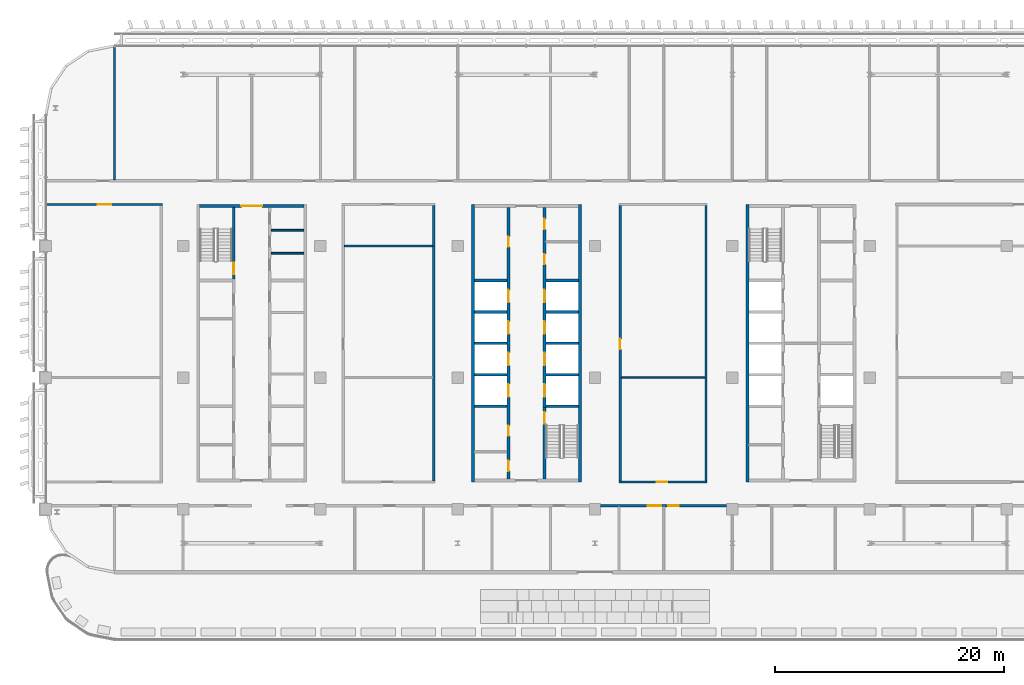
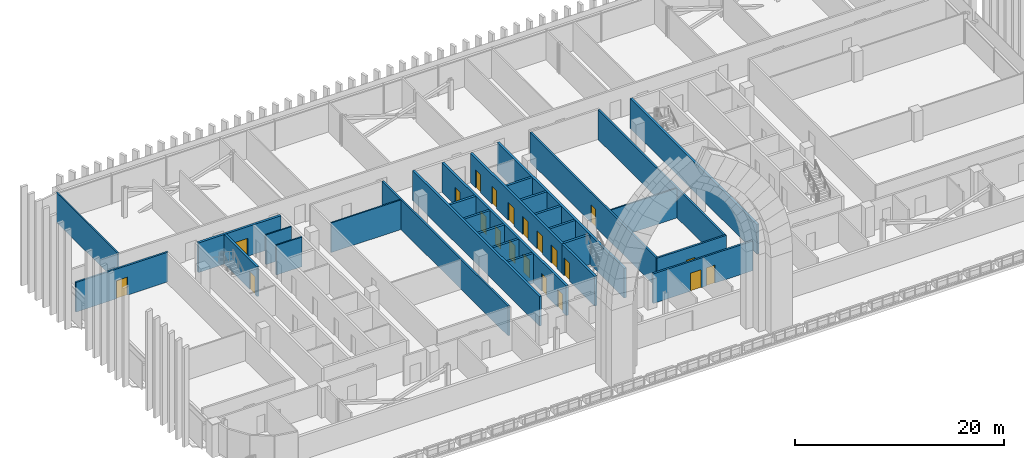
# One storey, part 12 of 30: 29 walls, 21 doors, 21 openings.
"""IFC4 building model written with IfcOpenShell, lengths in metres."""

import ifcopenshell
import ifcopenshell.guid

model = None  # the IFC model being written
_history = None  # IfcOwnerHistory: only IFC2X3 demands one
_inside = {}  # id of a spatial element -> (the spatial element, [elements in it])
_under = {}  # id of a project, library or spatial element -> (it, [spatial elements below it])
_declared = {}  # id of a project -> (the project, [libraries it declares])
_typed = {}  # id of a type object -> (the type object, [elements of that type])
_made_of = {}  # id of a material, layer set ... -> (it, [elements and type objects made of it])


def new_model(schema):
    """Start an empty IFC model of exactly this schema.

    Asked for "IFC4X3", IfcOpenShell would pick the latest addendum, in which some entities
    have other attributes; the version numbers below select the first issue.
    IFC2X3 requires an IfcOwnerHistory on every rooted entity: one is made here for all.
    """
    global model, _history
    if schema == "IFC4X3":
        model = ifcopenshell.file(schema_version=(4, 3, 0, 0))
    else:
        model = ifcopenshell.file(schema=schema)
    _inside.clear()
    _under.clear()
    _declared.clear()
    _typed.clear()
    _made_of.clear()
    _history = None
    if model.schema == "IFC2X3":
        org = make("IfcOrganization", Name="unknown")
        user = make(
            "IfcPersonAndOrganization",
            ThePerson=make("IfcPerson", FamilyName="unknown"),
            TheOrganization=org,
        )
        app = make(
            "IfcApplication",
            ApplicationDeveloper=org,
            Version="unknown",
            ApplicationFullName="unknown",
            ApplicationIdentifier="unknown",
        )
        _history = make(
            "IfcOwnerHistory",
            OwningUser=user,
            OwningApplication=app,
            ChangeAction="ADDED",
            CreationDate=0,
        )
    return model


def make(cls, **values):
    """One entity of the class cls with the attributes given. An attribute that is None is left unset."""
    return model.create_entity(
        cls, **{name: value for name, value in values.items() if value is not None}
    )


def rooted(cls, **values):
    """An entity with a GlobalId (a new one), such as an element, a storey or a relation."""
    return make(cls, GlobalId=ifcopenshell.guid.new(), OwnerHistory=_history, **values)


def si_unit(unit_type, name, prefix=None):
    """IfcSIUnit, for example si_unit("LENGTHUNIT", "METRE", prefix="MILLI")."""
    return make("IfcSIUnit", UnitType=unit_type, Prefix=prefix, Name=name)


def assignment(units):
    """IfcUnitAssignment: the units of a project."""
    return None if units is None else make("IfcUnitAssignment", Units=units)


def point(xyz):
    """IfcCartesianPoint."""
    return None if xyz is None else make("IfcCartesianPoint", Coordinates=xyz)


def direction(xyz):
    """IfcDirection."""
    return None if xyz is None else make("IfcDirection", DirectionRatios=xyz)


def frame(location, z_axis=None, x_axis=None):
    """IfcAxis2Placement3D, a coordinate frame: its origin and axes. An axis left out is left unset."""
    return make(
        "IfcAxis2Placement3D",
        Location=point(location),
        Axis=direction(z_axis),
        RefDirection=direction(x_axis),
    )


def frame_2d(location, x_axis=None):
    """IfcAxis2Placement2D, a coordinate frame in the plane: its origin and x axis."""
    return make(
        "IfcAxis2Placement2D", Location=point(location), RefDirection=direction(x_axis)
    )


def origin():
    """The frame at (0, 0, 0) with its axes left unset."""
    return frame((0.0, 0.0, 0.0))


def place(relative_to, where):
    """IfcLocalPlacement: puts the frame where relative to a parent placement (None: the world)."""
    return make(
        "IfcLocalPlacement", PlacementRelTo=relative_to, RelativePlacement=where
    )


def context(
    kind, dimensions, precision=None, world=None, true_north=None, identifier=None
):
    """IfcGeometricRepresentationContext, for example the 3D "Model" context."""
    return make(
        "IfcGeometricRepresentationContext",
        ContextIdentifier=identifier,
        ContextType=kind,
        CoordinateSpaceDimension=dimensions,
        Precision=precision,
        WorldCoordinateSystem=world,
        TrueNorth=true_north,
    )


def subcontext(parent, identifier, kind, view, scale=None):
    """IfcGeometricRepresentationSubContext, for example "Body" below "Model"."""
    return make(
        "IfcGeometricRepresentationSubContext",
        ContextIdentifier=identifier,
        ContextType=kind,
        ParentContext=parent,
        TargetScale=scale,
        TargetView=view,
    )


def project(units=None, contexts=None):
    """IfcProject with its units and contexts."""
    return rooted(
        "IfcProject",
        Name="project",
        RepresentationContexts=contexts,
        UnitsInContext=assignment(units),
    )


def spatial(cls, under=None, at=None, **own):
    """A site, building, storey or space (cls), placed at a placement, below another one or the project."""
    s = rooted(cls, ObjectPlacement=at, **own)
    if under is not None:
        _under.setdefault(under.id(), (under, []))[1].append(s)
    return s


def profile(cls, at=None, kind="AREA", **sizes):
    """A parametric profile (cls). Its sizes go by their IFC names, for example OverallWidth=200.0."""
    return make(cls, ProfileType=kind, Position=at, **sizes)


def rectangle(**sizes):
    """IfcRectangleProfileDef."""
    return profile("IfcRectangleProfileDef", **sizes)


def extrude(swept, where, along, depth):
    """IfcExtrudedAreaSolid: the profile swept, set in the frame where, extruded along a direction by depth."""
    return make(
        "IfcExtrudedAreaSolid",
        SweptArea=swept,
        Position=where,
        ExtrudedDirection=direction(along),
        Depth=depth,
    )


def shape(context_of_items, identifier, shape_type, items):
    """IfcShapeRepresentation: the items that make up one representation, for example the "Body"."""
    return make(
        "IfcShapeRepresentation",
        ContextOfItems=context_of_items,
        RepresentationIdentifier=identifier,
        RepresentationType=shape_type,
        Items=items,
    )


def material(Name=None, Category=None):
    """IfcMaterial."""
    return make("IfcMaterial", Name=Name, Category=Category)


def layer(
    of_material, thickness, ventilated=None, Name=None, Category=None, Priority=None
):
    """IfcMaterialLayer: one layer of a wall or slab, of a material (None: an air gap)."""
    return make(
        "IfcMaterialLayer",
        Material=of_material,
        LayerThickness=thickness,
        IsVentilated=ventilated,
        Name=Name,
        Category=Category,
        Priority=Priority,
    )


def layer_set(layers, Name=None):
    """IfcMaterialLayerSet."""
    return make("IfcMaterialLayerSet", MaterialLayers=layers, LayerSetName=Name)


def made_of(thing, what):
    """Note that an element or type object is made of a material, layer set ...; save() writes the relation."""
    if what is not None:
        _made_of.setdefault(what.id(), (what, []))[1].append(thing)
    return thing


def type_object(cls, material=None, **own):
    """A type object (cls), such as IfcWallType, which elements share."""
    return made_of(rooted(cls, **own), material)


def element(
    cls,
    number,
    at=None,
    inside=None,
    cuts=None,
    type_object=None,
    material=None,
    context=None,
    identifier="Body",
    shape_type=None,
    held_by="IfcProductDefinitionShape",
    body=None,
    shapes=None,
    **own,
):
    """One element of the class cls, such as IfcWall. Its Tag is "e" and its number.

    at: its placement. inside: the storey or other place that contains it. cuts: it is an
    opening in that element (IfcRelVoidsElement). A single representation is given by context,
    identifier, shape_type and body (its items); several are given by shapes. held_by: the class
    of the entity that holds the representations. save() writes the other relations.
    """
    e = rooted(cls, Tag="e%d" % number, ObjectPlacement=at, **own)
    if body is not None:
        shapes = [shape(context, identifier, shape_type, body)]
    if shapes is not None:
        e.Representation = make(held_by, Representations=shapes)
    if inside is not None:
        _inside.setdefault(inside.id(), (inside, []))[1].append(e)
    if cuts is not None:
        rooted(
            "IfcRelVoidsElement", RelatingBuildingElement=cuts, RelatedOpeningElement=e
        )
    if type_object is not None:
        _typed.setdefault(type_object.id(), (type_object, []))[1].append(e)
    return made_of(e, material)


def fill(opening, filler):
    """IfcRelFillsElement: the door or window that sits in an opening."""
    return rooted(
        "IfcRelFillsElement",
        RelatingOpeningElement=opening,
        RelatedBuildingElement=filler,
    )


def aggregate(whole, parts):
    """IfcRelAggregates: a whole, such as a stair, and the parts it consists of."""
    return rooted("IfcRelAggregates", RelatingObject=whole, RelatedObjects=parts)


def save(model, path):
    """Write the relations noted so far, then the file.

    IfcRelAggregates (storeys below a building ...), IfcRelContainedInSpatialStructure (elements
    in a storey), IfcRelDefinesByType, IfcRelAssociatesMaterial and IfcRelDeclares: one each for
    every whole, place, type object, material and project.
    """
    for whole, parts in _under.values():
        aggregate(whole, parts)
    for where, things in _inside.values():
        rooted(
            "IfcRelContainedInSpatialStructure",
            RelatedElements=things,
            RelatingStructure=where,
        )
    for kind, things in _typed.values():
        rooted("IfcRelDefinesByType", RelatedObjects=things, RelatingType=kind)
    for what, things in _made_of.values():
        rooted("IfcRelAssociatesMaterial", RelatedObjects=things, RelatingMaterial=what)
    for by, libraries in _declared.values():
        rooted("IfcRelDeclares", RelatingContext=by, RelatedDefinitions=libraries)
    model.write(path)


model = new_model("IFC4")

# Units and contexts
model_context = context("Model", 3, precision=1e-05, world=origin(), true_north=direction((0.0, 1.0)))
body_context = subcontext(model_context, "Body", "Model", "MODEL_VIEW")
ifc_project = project(units=[si_unit("LENGTHUNIT", "METRE"), si_unit("AREAUNIT", "SQUARE_METRE"), si_unit("VOLUMEUNIT", "CUBIC_METRE"), si_unit("PLANEANGLEUNIT", "RADIAN"), si_unit("MASSUNIT", "GRAM", prefix="KILO")], contexts=[model_context])

# Site, building, storey
site_placement = place(None, origin())
site = spatial("IfcSite", under=ifc_project, at=site_placement, CompositionType="ELEMENT")
building_placement = place(site_placement, origin())
building = spatial("IfcBuilding", under=site, at=building_placement, Name="Mahtab Terrace Research Tower", CompositionType="ELEMENT")
storey_placement = place(building_placement, frame((0.0, 0.0, 228.60009765625)))
storey = spatial("IfcBuildingStorey", under=building, at=storey_placement, Name="L55", CompositionType="ELEMENT", Elevation=228.60009765625)

# Walls
ifc_material_1 = material(Name="Gypsum board partition")
ifc_layer_1 = layer(ifc_material_1, 0.14990234375)
ifc_layer_set_1 = layer_set([ifc_layer_1], Name="Core partition 150")
wall_type_1 = type_object("IfcWallType", Name="Core partition 150", PredefinedType="PARTITIONING", material=ifc_layer_set_1)
for number, where, z_axis, x_axis, name in (
    (1, (-22.300048828125, 10.875, 0.0), (0.0, 0.0, 1.0), (1.0, 0.0, 0.0), "Core wall A pEN788"),
    (2, (-22.300048828125, 12.875, 0.0), (0.0, 0.0, 1.0), (1.0, 0.0, 0.0), "Core wall A pEN988"),
):
    element("IfcWall", number, at=place(storey_placement, frame(where, z_axis=z_axis, x_axis=x_axis)), inside=storey, type_object=wall_type_1, Name=name, PredefinedType="PARTITIONING", context=body_context, shape_type="SweptSolid", body=[
        extrude(rectangle(XDim=2.85009765625, YDim=0.14990234375, at=frame_2d((1.425048828125, 0.0))), origin(), (0.0, 0.0, 1.0), 3.4599609375),
    ])

# Wall, opening, door
ifc_material_2 = material(Name="Concrete C70/85", Category="concrete")
ifc_layer_2 = layer(ifc_material_2, 0.25)
ifc_layer_set_2 = layer_set([ifc_layer_2], Name="Core wall 250")
wall_type_2 = type_object("IfcWallType", Name="Core wall 250", PredefinedType="SOLIDWALL", material=ifc_layer_set_2)
wall_1_placement = place(storey_placement, frame((-28.550048828125, 15.0, 0.0), z_axis=(0.0, 0.0, 1.0), x_axis=(1.0, 0.0, 0.0)))
wall_1 = element("IfcWall", 3, at=wall_1_placement, inside=storey, type_object=wall_type_2, Name="Core wall A endN", PredefinedType="SOLIDWALL", context=body_context, shape_type="SweptSolid", body=[
    extrude(rectangle(XDim=9.10009765625, YDim=0.25, at=frame_2d((4.550048828125, 0.0))), origin(), (0.0, 0.0, 1.0), 3.4599609375),
])
opening_1_placement = place(wall_1_placement, frame((3.64990234375, 0.0, 0.0)))
opening_1 = element("IfcOpeningElement", 4, at=opening_1_placement, cuts=wall_1, Name="Opening A-N1", PredefinedType="OPENING", context=body_context, shape_type="SweptSolid", body=[
    extrude(rectangle(XDim=1.800048828125, YDim=2.10009765625, at=frame_2d((0.89990234375, 1.050048828125))), frame((0.0, 0.135009765625, 0.0), z_axis=(0.0, -1.0, 0.0), x_axis=(1.0, 0.0, 0.0)), (0.0, 0.0, 1.0), 0.27001953125),
])
ifc_material_3 = material(Name="Steel fire door", Category="steel")
door_type_1 = type_object("IfcDoorType", Name="Lobby double door 1800x2100 1 HR", OperationType="DOUBLE_DOOR_SINGLE_SWING", PredefinedType="DOOR", material=ifc_material_3)
door_1_placement = place(opening_1_placement, origin())
door_1 = element("IfcDoor", 5, at=door_1_placement, inside=storey, type_object=door_type_1, Name="Core entrance door A N", OperationType="DOUBLE_DOOR_SINGLE_SWING", OverallHeight=2.10009765625, OverallWidth=1.800048828125, PredefinedType="DOOR", context=body_context, shape_type="SweptSolid", body=[
    extrude(rectangle(XDim=1.800048828125, YDim=2.10009765625, at=frame_2d((0.89990234375, 1.050048828125))), frame((0.0, 0.02490234375, 0.0), z_axis=(0.0, -1.0, 0.0), x_axis=(1.0, 0.0, 0.0)), (0.0, 0.0, 1.0), 0.050048828125),
])
fill(opening_1, door_1)

wall_2_placement = place(storey_placement, frame((-25.574951171875, 14.875, 0.0), z_axis=(0.0, 0.0, 1.0), x_axis=(0.0, -1.0, 0.0)))
wall_2 = element("IfcWall", 6, at=wall_2_placement, inside=storey, type_object=wall_type_2, Name="Core wall A innerWN", PredefinedType="SOLIDWALL", context=body_context, shape_type="SweptSolid", body=[
    extrude(rectangle(XDim=6.25, YDim=0.25, at=frame_2d((3.125, 0.0))), origin(), (0.0, 0.0, 1.0), 3.4599609375),
])
opening_2_placement = place(wall_2_placement, frame((4.85009765625, 0.0, 0.0)))
opening_2 = element("IfcOpeningElement", 7, at=opening_2_placement, cuts=wall_2, Name="Opening A-ST1", PredefinedType="OPENING", context=body_context, shape_type="SweptSolid", body=[
    extrude(rectangle(XDim=1.0, YDim=2.10009765625, at=frame_2d((0.5, 1.050048828125))), frame((0.0, 0.135009765625, 0.0), z_axis=(0.0, -1.0, 0.0), x_axis=(1.0, 0.0, 0.0)), (0.0, 0.0, 1.0), 0.27001953125),
])
door_type_2 = type_object("IfcDoorType", Name="Stair door 1000x2100 1.5 HR", OperationType="NOTDEFINED", PredefinedType="DOOR", material=ifc_material_3)
door_2_placement = place(opening_2_placement, origin())
door_2 = element("IfcDoor", 8, at=door_2_placement, inside=storey, type_object=door_type_2, Name="Stair door ST1 L55", OperationType="SINGLE_SWING_LEFT", OverallHeight=2.10009765625, OverallWidth=1.0, PredefinedType="DOOR", context=body_context, shape_type="SweptSolid", body=[
    extrude(rectangle(XDim=1.0, YDim=2.10009765625, at=frame_2d((0.5, 1.050048828125))), frame((0.0, 0.02490234375, 0.0), z_axis=(0.0, -1.0, 0.0), x_axis=(1.0, 0.0, 0.0)), (0.0, 0.0, 1.0), 0.050048828125),
])
fill(opening_2, door_2)

# Walls
for number, where, z_axis, x_axis, name in (
    (9, (-4.675048828125, 15.125, 0.0), (0.0, 0.0, 1.0), (0.0, -1.0, 0.0), "Core wall B outerW"),
    (10, (4.675048828125, -9.125, 0.0), (0.0, 0.0, 1.0), (0.0, 1.0, 0.0), "Core wall B outerE"),
):
    element("IfcWall", number, at=place(storey_placement, frame(where, z_axis=z_axis, x_axis=x_axis)), inside=storey, type_object=wall_type_2, Name=name, PredefinedType="SOLIDWALL", context=body_context, shape_type="SweptSolid", body=[
        extrude(rectangle(XDim=24.25, YDim=0.25, at=frame_2d((12.125, 0.0))), origin(), (0.0, 0.0, 1.0), 3.4599609375),
    ])

# Wall, openings, doors
wall_3_placement = place(storey_placement, frame((-1.574951171875, -8.875, 0.0), z_axis=(0.0, 0.0, 1.0), x_axis=(0.0, 1.0, 0.0)))
wall_3 = element("IfcWall", 11, at=wall_3_placement, inside=storey, type_object=wall_type_2, Name="Core wall B innerWSLN", PredefinedType="SOLIDWALL", context=body_context, shape_type="SweptSolid", body=[
    extrude(rectangle(XDim=23.75, YDim=0.25, at=frame_2d((11.875, 0.0))), origin(), (0.0, 0.0, 1.0), 3.4599609375),
])
opening_3_placement = place(wall_3_placement, frame((7.199951171875, 0.0, 0.0)))
opening_3 = element("IfcOpeningElement", 12, at=opening_3_placement, cuts=wall_3, Name="Opening LD09-L55", PredefinedType="OPENING", context=body_context, shape_type="SweptSolid", body=[
    extrude(rectangle(XDim=1.10009765625, YDim=2.10009765625, at=frame_2d((0.550048828125, 1.050048828125))), frame((0.0, 0.135009765625, 0.0), z_axis=(0.0, -1.0, 0.0), x_axis=(1.0, 0.0, 0.0)), (0.0, 0.0, 1.0), 0.27001953125),
])
opening_4_placement = place(wall_3_placement, frame((9.949951171875, 0.0, 0.0)))
opening_4 = element("IfcOpeningElement", 13, at=opening_4_placement, cuts=wall_3, Name="Opening LD10-L55", PredefinedType="OPENING", context=body_context, shape_type="SweptSolid", body=[
    extrude(rectangle(XDim=1.10009765625, YDim=2.10009765625, at=frame_2d((0.550048828125, 1.050048828125))), frame((0.0, 0.135009765625, 0.0), z_axis=(0.0, -1.0, 0.0), x_axis=(1.0, 0.0, 0.0)), (0.0, 0.0, 1.0), 0.27001953125),
])
opening_5_placement = place(wall_3_placement, frame((12.699951171875, 0.0, 0.0)))
opening_5 = element("IfcOpeningElement", 14, at=opening_5_placement, cuts=wall_3, Name="Opening LD11-L55", PredefinedType="OPENING", context=body_context, shape_type="SweptSolid", body=[
    extrude(rectangle(XDim=1.10009765625, YDim=2.10009765625, at=frame_2d((0.550048828125, 1.050048828125))), frame((0.0, 0.135009765625, 0.0), z_axis=(0.0, -1.0, 0.0), x_axis=(1.0, 0.0, 0.0)), (0.0, 0.0, 1.0), 0.27001953125),
])
opening_6_placement = place(wall_3_placement, frame((15.449951171875, 0.0, 0.0)))
opening_6 = element("IfcOpeningElement", 15, at=opening_6_placement, cuts=wall_3, Name="Opening LD12-L55", PredefinedType="OPENING", context=body_context, shape_type="SweptSolid", body=[
    extrude(rectangle(XDim=1.10009765625, YDim=2.10009765625, at=frame_2d((0.550048828125, 1.050048828125))), frame((0.0, 0.135009765625, 0.0), z_axis=(0.0, -1.0, 0.0), x_axis=(1.0, 0.0, 0.0)), (0.0, 0.0, 1.0), 0.27001953125),
])
opening_7_placement = place(wall_3_placement, frame((0.71240234375, 0.0, 0.0)))
opening_7 = element("IfcOpeningElement", 16, at=opening_7_placement, cuts=wall_3, Name="Opening B-R1", PredefinedType="OPENING", context=body_context, shape_type="SweptSolid", body=[
    extrude(rectangle(XDim=0.89990234375, YDim=2.10009765625, at=frame_2d((0.449951171875, 1.050048828125))), frame((0.0, 0.135009765625, 0.0), z_axis=(0.0, -1.0, 0.0), x_axis=(1.0, 0.0, 0.0)), (0.0, 0.0, 1.0), 0.27001953125),
])
opening_8_placement = place(wall_3_placement, frame((3.78759765625, 0.0, 0.0)))
opening_8 = element("IfcOpeningElement", 17, at=opening_8_placement, cuts=wall_3, Name="Opening B-R2", PredefinedType="OPENING", context=body_context, shape_type="SweptSolid", body=[
    extrude(rectangle(XDim=0.89990234375, YDim=2.10009765625, at=frame_2d((0.449951171875, 1.050048828125))), frame((0.0, 0.135009765625, 0.0), z_axis=(0.0, -1.0, 0.0), x_axis=(1.0, 0.0, 0.0)), (0.0, 0.0, 1.0), 0.27001953125),
])
opening_9_placement = place(wall_3_placement, frame((20.300048828125, 0.0, 0.0)))
opening_9 = element("IfcOpeningElement", 18, at=opening_9_placement, cuts=wall_3, Name="Opening B-R3", PredefinedType="OPENING", context=body_context, shape_type="SweptSolid", body=[
    extrude(rectangle(XDim=0.89990234375, YDim=2.10009765625, at=frame_2d((0.449951171875, 1.050048828125))), frame((0.0, 0.135009765625, 0.0), z_axis=(0.0, -1.0, 0.0), x_axis=(1.0, 0.0, 0.0)), (0.0, 0.0, 1.0), 0.27001953125),
])
ifc_material_4 = material(Name="Stainless steel AISI 304", Category="steel")
door_type_3 = type_object("IfcDoorType", Name="Landing door 1100x2100", OperationType="DOUBLE_DOOR_SLIDING", PredefinedType="DOOR", material=ifc_material_4)
door_3_placement = place(opening_3_placement, origin())
door_3 = element("IfcDoor", 19, at=door_3_placement, inside=storey, type_object=door_type_3, Name="Landing door HR1 L55", OperationType="DOUBLE_DOOR_SLIDING", OverallHeight=2.10009765625, OverallWidth=1.10009765625, PredefinedType="DOOR", context=body_context, shape_type="SweptSolid", body=[
    extrude(rectangle(XDim=1.10009765625, YDim=2.10009765625, at=frame_2d((0.550048828125, 1.050048828125))), frame((0.0, 0.02490234375, 0.0), z_axis=(0.0, -1.0, 0.0), x_axis=(1.0, 0.0, 0.0)), (0.0, 0.0, 1.0), 0.050048828125),
])
fill(opening_3, door_3)
door_4_placement = place(opening_4_placement, origin())
door_4 = element("IfcDoor", 20, at=door_4_placement, inside=storey, type_object=door_type_3, Name="Landing door HR2 L55", OperationType="DOUBLE_DOOR_SLIDING", OverallHeight=2.10009765625, OverallWidth=1.10009765625, PredefinedType="DOOR", context=body_context, shape_type="SweptSolid", body=[
    extrude(rectangle(XDim=1.10009765625, YDim=2.10009765625, at=frame_2d((0.550048828125, 1.050048828125))), frame((0.0, 0.02490234375, 0.0), z_axis=(0.0, -1.0, 0.0), x_axis=(1.0, 0.0, 0.0)), (0.0, 0.0, 1.0), 0.050048828125),
])
fill(opening_4, door_4)
door_5_placement = place(opening_5_placement, origin())
door_5 = element("IfcDoor", 21, at=door_5_placement, inside=storey, type_object=door_type_3, Name="Landing door HR3 L55", OperationType="DOUBLE_DOOR_SLIDING", OverallHeight=2.10009765625, OverallWidth=1.10009765625, PredefinedType="DOOR", context=body_context, shape_type="SweptSolid", body=[
    extrude(rectangle(XDim=1.10009765625, YDim=2.10009765625, at=frame_2d((0.550048828125, 1.050048828125))), frame((0.0, 0.02490234375, 0.0), z_axis=(0.0, -1.0, 0.0), x_axis=(1.0, 0.0, 0.0)), (0.0, 0.0, 1.0), 0.050048828125),
])
fill(opening_5, door_5)
door_6_placement = place(opening_6_placement, origin())
door_6 = element("IfcDoor", 22, at=door_6_placement, inside=storey, type_object=door_type_3, Name="Landing door HR4 L55", OperationType="DOUBLE_DOOR_SLIDING", OverallHeight=2.10009765625, OverallWidth=1.10009765625, PredefinedType="DOOR", context=body_context, shape_type="SweptSolid", body=[
    extrude(rectangle(XDim=1.10009765625, YDim=2.10009765625, at=frame_2d((0.550048828125, 1.050048828125))), frame((0.0, 0.02490234375, 0.0), z_axis=(0.0, -1.0, 0.0), x_axis=(1.0, 0.0, 0.0)), (0.0, 0.0, 1.0), 0.050048828125),
])
fill(opening_6, door_6)
door_type_4 = type_object("IfcDoorType", Name="Room door 900x2100 1 HR", OperationType="NOTDEFINED", PredefinedType="DOOR", material=ifc_material_3)
door_7_placement = place(opening_7_placement, origin())
door_7 = element("IfcDoor", 23, at=door_7_placement, inside=storey, type_object=door_type_4, Name="Mechanical riser room door", OperationType="SINGLE_SWING_LEFT", OverallHeight=2.10009765625, OverallWidth=0.89990234375, PredefinedType="DOOR", context=body_context, shape_type="SweptSolid", body=[
    extrude(rectangle(XDim=0.89990234375, YDim=2.10009765625, at=frame_2d((0.449951171875, 1.050048828125))), frame((0.0, 0.02490234375, 0.0), z_axis=(0.0, -1.0, 0.0), x_axis=(1.0, 0.0, 0.0)), (0.0, 0.0, 1.0), 0.050048828125),
])
fill(opening_7, door_7)
door_8_placement = place(opening_8_placement, origin())
door_8 = element("IfcDoor", 24, at=door_8_placement, inside=storey, type_object=door_type_4, Name="Chemical store door", OperationType="SINGLE_SWING_RIGHT", OverallHeight=2.10009765625, OverallWidth=0.89990234375, PredefinedType="DOOR", context=body_context, shape_type="SweptSolid", body=[
    extrude(rectangle(XDim=0.89990234375, YDim=2.10009765625, at=frame_2d((0.449951171875, 1.050048828125))), frame((0.0, 0.02490234375, 0.0), z_axis=(0.0, -1.0, 0.0), x_axis=(1.0, 0.0, 0.0)), (0.0, 0.0, 1.0), 0.050048828125),
])
fill(opening_8, door_8)
door_9_placement = place(opening_9_placement, origin())
door_9 = element("IfcDoor", 25, at=door_9_placement, inside=storey, type_object=door_type_4, Name="Gas cylinder store door", OperationType="SINGLE_SWING_LEFT", OverallHeight=2.10009765625, OverallWidth=0.89990234375, PredefinedType="DOOR", context=body_context, shape_type="SweptSolid", body=[
    extrude(rectangle(XDim=0.89990234375, YDim=2.10009765625, at=frame_2d((0.449951171875, 1.050048828125))), frame((0.0, 0.02490234375, 0.0), z_axis=(0.0, -1.0, 0.0), x_axis=(1.0, 0.0, 0.0)), (0.0, 0.0, 1.0), 0.050048828125),
])
fill(opening_9, door_9)

# Wall, opening, door
wall_4_placement = place(storey_placement, frame((1.574951171875, -8.875, 0.0), z_axis=(0.0, 0.0, 1.0), x_axis=(0.0, 1.0, 0.0)))
wall_4 = element("IfcWall", 26, at=wall_4_placement, inside=storey, type_object=wall_type_2, Name="Core wall B innerES", PredefinedType="SOLIDWALL", context=body_context, shape_type="SweptSolid", body=[
    extrude(rectangle(XDim=6.25, YDim=0.25, at=frame_2d((3.125, 0.0))), origin(), (0.0, 0.0, 1.0), 3.4599609375),
])
opening_10_placement = place(wall_4_placement, frame((4.85009765625, 0.0, 0.0)))
opening_10 = element("IfcOpeningElement", 27, at=opening_10_placement, cuts=wall_4, Name="Opening B-ST2", PredefinedType="OPENING", context=body_context, shape_type="SweptSolid", body=[
    extrude(rectangle(XDim=1.0, YDim=2.10009765625, at=frame_2d((0.5, 1.050048828125))), frame((0.0, 0.135009765625, 0.0), z_axis=(0.0, -1.0, 0.0), x_axis=(1.0, 0.0, 0.0)), (0.0, 0.0, 1.0), 0.27001953125),
])
door_10_placement = place(opening_10_placement, origin())
door_10 = element("IfcDoor", 28, at=door_10_placement, inside=storey, type_object=door_type_2, Name="Stair door ST2 L55", OperationType="SINGLE_SWING_RIGHT", OverallHeight=2.10009765625, OverallWidth=1.0, PredefinedType="DOOR", context=body_context, shape_type="SweptSolid", body=[
    extrude(rectangle(XDim=1.0, YDim=2.10009765625, at=frame_2d((0.5, 1.050048828125))), frame((0.0, 0.02490234375, 0.0), z_axis=(0.0, -1.0, 0.0), x_axis=(1.0, 0.0, 0.0)), (0.0, 0.0, 1.0), 0.050048828125),
])
fill(opening_10, door_10)

# Wall, openings, doors
wall_5_placement = place(storey_placement, frame((1.574951171875, 14.875, 0.0), z_axis=(0.0, 0.0, 1.0), x_axis=(0.0, -1.0, 0.0)))
wall_5 = element("IfcWall", 29, at=wall_5_placement, inside=storey, type_object=wall_type_2, Name="Core wall B innerELN", PredefinedType="SOLIDWALL", context=body_context, shape_type="SweptSolid", body=[
    extrude(rectangle(XDim=17.5, YDim=0.25, at=frame_2d((8.75, 0.0))), origin(), (0.0, 0.0, 1.0), 3.4599609375),
])
opening_11_placement = place(wall_5_placement, frame((15.449951171875, 0.0, 0.0)))
opening_11 = element("IfcOpeningElement", 30, at=opening_11_placement, cuts=wall_5, Name="Opening LD13-L55", PredefinedType="OPENING", context=body_context, shape_type="SweptSolid", body=[
    extrude(rectangle(XDim=1.10009765625, YDim=2.10009765625, at=frame_2d((0.550048828125, 1.050048828125))), frame((0.0, 0.135009765625, 0.0), z_axis=(0.0, -1.0, 0.0), x_axis=(1.0, 0.0, 0.0)), (0.0, 0.0, 1.0), 0.27001953125),
])
opening_12_placement = place(wall_5_placement, frame((12.699951171875, 0.0, 0.0)))
opening_12 = element("IfcOpeningElement", 31, at=opening_12_placement, cuts=wall_5, Name="Opening LD14-L55", PredefinedType="OPENING", context=body_context, shape_type="SweptSolid", body=[
    extrude(rectangle(XDim=1.10009765625, YDim=2.10009765625, at=frame_2d((0.550048828125, 1.050048828125))), frame((0.0, 0.135009765625, 0.0), z_axis=(0.0, -1.0, 0.0), x_axis=(1.0, 0.0, 0.0)), (0.0, 0.0, 1.0), 0.27001953125),
])
opening_13_placement = place(wall_5_placement, frame((9.949951171875, 0.0, 0.0)))
opening_13 = element("IfcOpeningElement", 32, at=opening_13_placement, cuts=wall_5, Name="Opening LD15-L55", PredefinedType="OPENING", context=body_context, shape_type="SweptSolid", body=[
    extrude(rectangle(XDim=1.10009765625, YDim=2.10009765625, at=frame_2d((0.550048828125, 1.050048828125))), frame((0.0, 0.135009765625, 0.0), z_axis=(0.0, -1.0, 0.0), x_axis=(1.0, 0.0, 0.0)), (0.0, 0.0, 1.0), 0.27001953125),
])
opening_14_placement = place(wall_5_placement, frame((7.199951171875, 0.0, 0.0)))
opening_14 = element("IfcOpeningElement", 33, at=opening_14_placement, cuts=wall_5, Name="Opening LD16-L55", PredefinedType="OPENING", context=body_context, shape_type="SweptSolid", body=[
    extrude(rectangle(XDim=1.10009765625, YDim=2.10009765625, at=frame_2d((0.550048828125, 1.050048828125))), frame((0.0, 0.135009765625, 0.0), z_axis=(0.0, -1.0, 0.0), x_axis=(1.0, 0.0, 0.0)), (0.0, 0.0, 1.0), 0.27001953125),
])
opening_15_placement = place(wall_5_placement, frame((4.08740234375, 0.0, 0.0)))
opening_15 = element("IfcOpeningElement", 34, at=opening_15_placement, cuts=wall_5, Name="Opening B-R4", PredefinedType="OPENING", context=body_context, shape_type="SweptSolid", body=[
    extrude(rectangle(XDim=0.89990234375, YDim=2.10009765625, at=frame_2d((0.449951171875, 1.050048828125))), frame((0.0, 0.135009765625, 0.0), z_axis=(0.0, -1.0, 0.0), x_axis=(1.0, 0.0, 0.0)), (0.0, 0.0, 1.0), 0.27001953125),
])
opening_16_placement = place(wall_5_placement, frame((1.012451171875, 0.0, 0.0)))
opening_16 = element("IfcOpeningElement", 35, at=opening_16_placement, cuts=wall_5, Name="Opening B-R5", PredefinedType="OPENING", context=body_context, shape_type="SweptSolid", body=[
    extrude(rectangle(XDim=0.89990234375, YDim=2.10009765625, at=frame_2d((0.449951171875, 1.050048828125))), frame((0.0, 0.135009765625, 0.0), z_axis=(0.0, -1.0, 0.0), x_axis=(1.0, 0.0, 0.0)), (0.0, 0.0, 1.0), 0.27001953125),
])
door_11_placement = place(opening_11_placement, origin())
door_11 = element("IfcDoor", 36, at=door_11_placement, inside=storey, type_object=door_type_3, Name="Landing door HR5 L55", OperationType="DOUBLE_DOOR_SLIDING", OverallHeight=2.10009765625, OverallWidth=1.10009765625, PredefinedType="DOOR", context=body_context, shape_type="SweptSolid", body=[
    extrude(rectangle(XDim=1.10009765625, YDim=2.10009765625, at=frame_2d((0.550048828125, 1.050048828125))), frame((0.0, 0.02490234375, 0.0), z_axis=(0.0, -1.0, 0.0), x_axis=(1.0, 0.0, 0.0)), (0.0, 0.0, 1.0), 0.050048828125),
])
fill(opening_11, door_11)
door_12_placement = place(opening_12_placement, origin())
door_12 = element("IfcDoor", 37, at=door_12_placement, inside=storey, type_object=door_type_3, Name="Landing door HR6 L55", OperationType="DOUBLE_DOOR_SLIDING", OverallHeight=2.10009765625, OverallWidth=1.10009765625, PredefinedType="DOOR", context=body_context, shape_type="SweptSolid", body=[
    extrude(rectangle(XDim=1.10009765625, YDim=2.10009765625, at=frame_2d((0.550048828125, 1.050048828125))), frame((0.0, 0.02490234375, 0.0), z_axis=(0.0, -1.0, 0.0), x_axis=(1.0, 0.0, 0.0)), (0.0, 0.0, 1.0), 0.050048828125),
])
fill(opening_12, door_12)
door_13_placement = place(opening_13_placement, origin())
door_13 = element("IfcDoor", 38, at=door_13_placement, inside=storey, type_object=door_type_3, Name="Landing door HR7 L55", OperationType="DOUBLE_DOOR_SLIDING", OverallHeight=2.10009765625, OverallWidth=1.10009765625, PredefinedType="DOOR", context=body_context, shape_type="SweptSolid", body=[
    extrude(rectangle(XDim=1.10009765625, YDim=2.10009765625, at=frame_2d((0.550048828125, 1.050048828125))), frame((0.0, 0.02490234375, 0.0), z_axis=(0.0, -1.0, 0.0), x_axis=(1.0, 0.0, 0.0)), (0.0, 0.0, 1.0), 0.050048828125),
])
fill(opening_13, door_13)
door_14_placement = place(opening_14_placement, origin())
door_14 = element("IfcDoor", 39, at=door_14_placement, inside=storey, type_object=door_type_3, Name="Landing door HR8 L55", OperationType="DOUBLE_DOOR_SLIDING", OverallHeight=2.10009765625, OverallWidth=1.10009765625, PredefinedType="DOOR", context=body_context, shape_type="SweptSolid", body=[
    extrude(rectangle(XDim=1.10009765625, YDim=2.10009765625, at=frame_2d((0.550048828125, 1.050048828125))), frame((0.0, 0.02490234375, 0.0), z_axis=(0.0, -1.0, 0.0), x_axis=(1.0, 0.0, 0.0)), (0.0, 0.0, 1.0), 0.050048828125),
])
fill(opening_14, door_14)
door_15_placement = place(opening_15_placement, origin())
door_15 = element("IfcDoor", 40, at=door_15_placement, inside=storey, type_object=door_type_4, Name="Staff WC door", OperationType="SINGLE_SWING_RIGHT", OverallHeight=2.10009765625, OverallWidth=0.89990234375, PredefinedType="DOOR", context=body_context, shape_type="SweptSolid", body=[
    extrude(rectangle(XDim=0.89990234375, YDim=2.10009765625, at=frame_2d((0.449951171875, 1.050048828125))), frame((0.0, 0.02490234375, 0.0), z_axis=(0.0, -1.0, 0.0), x_axis=(1.0, 0.0, 0.0)), (0.0, 0.0, 1.0), 0.050048828125),
])
fill(opening_15, door_15)
door_16_placement = place(opening_16_placement, origin())
door_16 = element("IfcDoor", 41, at=door_16_placement, inside=storey, type_object=door_type_4, Name="Accessible WC door", OperationType="SINGLE_SWING_LEFT", OverallHeight=2.10009765625, OverallWidth=0.89990234375, PredefinedType="DOOR", context=body_context, shape_type="SweptSolid", body=[
    extrude(rectangle(XDim=0.89990234375, YDim=2.10009765625, at=frame_2d((0.449951171875, 1.050048828125))), frame((0.0, 0.02490234375, 0.0), z_axis=(0.0, -1.0, 0.0), x_axis=(1.0, 0.0, 0.0)), (0.0, 0.0, 1.0), 0.050048828125),
])
fill(opening_16, door_16)

# Walls
for number, where, z_axis, x_axis, name in (
    (42, (-4.550048828125, -2.5, 0.0), (0.0, 0.0, 1.0), (1.0, 0.0, 0.0), "Core wall B divW0"),
    (43, (-4.550048828125, 0.25, 0.0), (0.0, 0.0, 1.0), (1.0, 0.0, 0.0), "Core wall B divW1"),
    (44, (-4.550048828125, 3.0, 0.0), (0.0, 0.0, 1.0), (1.0, 0.0, 0.0), "Core wall B divW2"),
    (45, (-4.550048828125, 5.75, 0.0), (0.0, 0.0, 1.0), (1.0, 0.0, 0.0), "Core wall B divW3"),
    (46, (-4.550048828125, 8.5, 0.0), (0.0, 0.0, 1.0), (1.0, 0.0, 0.0), "Core wall B divW4"),
    (47, (1.699951171875, -2.5, 0.0), (0.0, 0.0, 1.0), (1.0, 0.0, 0.0), "Core wall B divE0"),
    (48, (1.699951171875, 0.25, 0.0), (0.0, 0.0, 1.0), (1.0, 0.0, 0.0), "Core wall B divE1"),
    (49, (1.699951171875, 3.0, 0.0), (0.0, 0.0, 1.0), (1.0, 0.0, 0.0), "Core wall B divE2"),
    (50, (1.699951171875, 5.75, 0.0), (0.0, 0.0, 1.0), (1.0, 0.0, 0.0), "Core wall B divE3"),
    (51, (1.699951171875, 8.5, 0.0), (0.0, 0.0, 1.0), (1.0, 0.0, 0.0), "Core wall B divE4"),
):
    element("IfcWall", number, at=place(storey_placement, frame(where, z_axis=z_axis, x_axis=x_axis)), inside=storey, type_object=wall_type_2, Name=name, PredefinedType="SOLIDWALL", context=body_context, shape_type="SweptSolid", body=[
        extrude(rectangle(XDim=2.85009765625, YDim=0.25, at=frame_2d((1.425048828125, 0.0))), origin(), (0.0, 0.0, 1.0), 3.4599609375),
    ])
wall_6_placement = place(storey_placement, frame((19.324951171875, 15.125, 0.0), z_axis=(0.0, 0.0, 1.0), x_axis=(0.0, -1.0, 0.0)))
element("IfcWall", 52, at=wall_6_placement, inside=storey, type_object=wall_type_2, Name="Core wall C outerW", PredefinedType="SOLIDWALL", context=body_context, shape_type="SweptSolid", body=[
    extrude(rectangle(XDim=24.25, YDim=0.25, at=frame_2d((12.125, 0.0))), origin(), (0.0, 0.0, 1.0), 3.4599609375),
])

# Wall, openings, doors
ifc_material_5 = material(Name="Gypsum board corridor wall on steel studs", Category="steel")
ifc_layer_3 = layer(ifc_material_5, 0.199951171875)
ifc_layer_set_3 = layer_set([ifc_layer_3], Name="WALL CORRIDOR 200")
wall_type_3 = type_object("IfcWallType", Name="WALL CORRIDOR 200", PredefinedType="PARTITIONING", material=ifc_layer_set_3)
wall_7_placement = place(storey_placement, frame((6.5, -11.199951171875, 0.0), z_axis=(0.0, 0.0, 1.0), x_axis=(1.0, 0.0, 0.0)))
wall_7 = element("IfcWall", 53, at=wall_7_placement, inside=storey, type_object=wall_type_3, Name="L55-W006", PredefinedType="PARTITIONING", context=body_context, shape_type="SweptSolid", body=[
    extrude(rectangle(XDim=11.0, YDim=0.199951171875, at=frame_2d((5.5, 0.0))), origin(), (0.0, 0.0, 1.0), 3.4599609375),
])
opening_17_placement = place(wall_7_placement, frame((4.10009765625, 0.0, 0.0)))
opening_17 = element("IfcOpeningElement", 54, at=opening_17_placement, cuts=wall_7, Name="Opening L55-109", PredefinedType="OPENING", context=body_context, shape_type="SweptSolid", body=[
    extrude(rectangle(XDim=1.199951171875, YDim=2.10009765625, at=frame_2d((0.60009765625, 1.050048828125))), frame((0.0, 0.10986328125, 0.0), z_axis=(0.0, -1.0, 0.0), x_axis=(1.0, 0.0, 0.0)), (0.0, 0.0, 1.0), 0.219970703125),
])
opening_18_placement = place(wall_7_placement, frame((5.89990234375, 0.0, 0.0)))
opening_18 = element("IfcOpeningElement", 55, at=opening_18_placement, cuts=wall_7, Name="Opening L55-110", PredefinedType="OPENING", context=body_context, shape_type="SweptSolid", body=[
    extrude(rectangle(XDim=0.89990234375, YDim=2.10009765625, at=frame_2d((0.449951171875, 1.050048828125))), frame((0.0, 0.10986328125, 0.0), z_axis=(0.0, -1.0, 0.0), x_axis=(1.0, 0.0, 0.0)), (0.0, 0.0, 1.0), 0.219970703125),
])
ifc_material_6 = material(Name="Timber door leaf in steel frame", Category="steel")
door_type_5 = type_object("IfcDoorType", Name="DOOR 0900X2100 FD30S", OperationType="SINGLE_SWING_LEFT", PredefinedType="DOOR", material=ifc_material_6)
door_17_placement = place(opening_18_placement, origin())
door_17 = element("IfcDoor", 56, at=door_17_placement, inside=storey, type_object=door_type_5, Name="Door L55-110", OperationType="SINGLE_SWING_LEFT", OverallHeight=2.10009765625, OverallWidth=0.89990234375, PredefinedType="DOOR", context=body_context, shape_type="SweptSolid", body=[
    extrude(rectangle(XDim=0.89990234375, YDim=2.10009765625, at=frame_2d((0.449951171875, 1.050048828125))), frame((0.0, 0.02490234375, 0.0), z_axis=(0.0, -1.0, 0.0), x_axis=(1.0, 0.0, 0.0)), (0.0, 0.0, 1.0), 0.050048828125),
])
fill(opening_18, door_17)
door_type_6 = type_object("IfcDoorType", Name="DOOR 1200X2100 FD30S", OperationType="SINGLE_SWING_LEFT", PredefinedType="DOOR", material=ifc_material_6)
door_18_placement = place(opening_17_placement, origin())
door_18 = element("IfcDoor", 57, at=door_18_placement, inside=storey, type_object=door_type_6, Name="Door L55-109", OperationType="SINGLE_SWING_RIGHT", OverallHeight=2.10009765625, OverallWidth=1.199951171875, PredefinedType="DOOR", context=body_context, shape_type="SweptSolid", body=[
    extrude(rectangle(XDim=1.199951171875, YDim=2.10009765625, at=frame_2d((0.60009765625, 1.050048828125))), frame((0.0, 0.02490234375, 0.0), z_axis=(0.0, -1.0, 0.0), x_axis=(1.0, 0.0, 0.0)), (0.0, 0.0, 1.0), 0.050048828125),
])
fill(opening_17, door_18)

# Wall, opening, door
wall_8_placement = place(storey_placement, frame((8.10009765625, -9.125, 0.0), z_axis=(0.0, 0.0, 1.0), x_axis=(1.0, 0.0, 0.0)))
wall_8 = element("IfcWall", 58, at=wall_8_placement, inside=storey, type_object=wall_type_3, Name="L55-W012", PredefinedType="PARTITIONING", context=body_context, shape_type="SweptSolid", body=[
    extrude(rectangle(XDim=7.699951171875, YDim=0.199951171875, at=frame_2d((3.85009765625, 0.0))), origin(), (0.0, 0.0, 1.0), 3.4599609375),
])
opening_19_placement = place(wall_8_placement, frame((3.300048828125, 0.0, 0.0)))
opening_19 = element("IfcOpeningElement", 59, at=opening_19_placement, cuts=wall_8, Name="Opening L55-120", PredefinedType="OPENING", context=body_context, shape_type="SweptSolid", body=[
    extrude(rectangle(XDim=0.89990234375, YDim=2.10009765625, at=frame_2d((0.449951171875, 1.050048828125))), frame((0.0, 0.10986328125, 0.0), z_axis=(0.0, -1.0, 0.0), x_axis=(1.0, 0.0, 0.0)), (0.0, 0.0, 1.0), 0.219970703125),
])
door_19_placement = place(opening_19_placement, origin())
door_19 = element("IfcDoor", 60, at=door_19_placement, inside=storey, type_object=door_type_5, Name="Door L55-120", OperationType="SINGLE_SWING_LEFT", OverallHeight=2.10009765625, OverallWidth=0.89990234375, PredefinedType="DOOR", context=body_context, shape_type="SweptSolid", body=[
    extrude(rectangle(XDim=0.89990234375, YDim=2.10009765625, at=frame_2d((0.449951171875, 1.050048828125))), frame((0.0, 0.02490234375, 0.0), z_axis=(0.0, -1.0, 0.0), x_axis=(1.0, 0.0, 0.0)), (0.0, 0.0, 1.0), 0.050048828125),
])
fill(opening_19, door_19)

wall_9_placement = place(storey_placement, frame((-41.97509765625, 15.125, 0.0), z_axis=(0.0, 0.0, 1.0), x_axis=(1.0, 0.0, 0.0)))
wall_9 = element("IfcWall", 61, at=wall_9_placement, inside=storey, type_object=wall_type_3, Name="L55-W022", PredefinedType="PARTITIONING", context=body_context, shape_type="SweptSolid", body=[
    extrude(rectangle(XDim=10.175048828125, YDim=0.199951171875, at=frame_2d((5.08740234375, 0.0))), origin(), (0.0, 0.0, 1.0), 3.4599609375),
])
opening_20_placement = place(wall_9_placement, frame((4.5, 0.0, 0.0)))
opening_20 = element("IfcOpeningElement", 62, at=opening_20_placement, cuts=wall_9, Name="Opening L55-124", PredefinedType="OPENING", context=body_context, shape_type="SweptSolid", body=[
    extrude(rectangle(XDim=1.199951171875, YDim=2.10009765625, at=frame_2d((0.60009765625, 1.050048828125))), frame((0.0, 0.10986328125, 0.0), z_axis=(0.0, -1.0, 0.0), x_axis=(1.0, 0.0, 0.0)), (0.0, 0.0, 1.0), 0.219970703125),
])
door_20_placement = place(opening_20_placement, origin())
door_20 = element("IfcDoor", 63, at=door_20_placement, inside=storey, type_object=door_type_6, Name="Door L55-124", OperationType="SINGLE_SWING_LEFT", OverallHeight=2.10009765625, OverallWidth=1.199951171875, PredefinedType="DOOR", context=body_context, shape_type="SweptSolid", body=[
    extrude(rectangle(XDim=1.199951171875, YDim=2.10009765625, at=frame_2d((0.60009765625, 1.050048828125))), frame((0.0, 0.02490234375, 0.0), z_axis=(0.0, -1.0, 0.0), x_axis=(1.0, 0.0, 0.0)), (0.0, 0.0, 1.0), 0.050048828125),
])
fill(opening_20, door_20)

# Wall
wall_10_placement = place(storey_placement, frame((-8.10009765625, -9.02490234375, 0.0), z_axis=(0.0, 0.0, 1.0), x_axis=(0.0, 1.0, 0.0)))
element("IfcWall", 64, at=wall_10_placement, inside=storey, type_object=wall_type_3, Name="L55-W038", PredefinedType="PARTITIONING", context=body_context, shape_type="SweptSolid", body=[
    extrude(rectangle(XDim=24.0498046875, YDim=0.199951171875, at=frame_2d((12.02490234375, 0.0))), origin(), (0.0, 0.0, 1.0), 3.4599609375),
])

# Wall, opening, door
wall_11_placement = place(storey_placement, frame((8.199951171875, -9.02490234375, 0.0), z_axis=(0.0, 0.0, 1.0), x_axis=(0.0, 1.0, 0.0)))
wall_11 = element("IfcWall", 65, at=wall_11_placement, inside=storey, type_object=wall_type_3, Name="L55-W045", PredefinedType="PARTITIONING", context=body_context, shape_type="SweptSolid", body=[
    extrude(rectangle(XDim=24.0498046875, YDim=0.199951171875, at=frame_2d((12.02490234375, 0.0))), origin(), (0.0, 0.0, 1.0), 3.4599609375),
])
opening_21_placement = place(wall_11_placement, frame((11.5, 0.0, 0.0)))
opening_21 = element("IfcOpeningElement", 66, at=opening_21_placement, cuts=wall_11, Name="Opening L55-125", PredefinedType="OPENING", context=body_context, shape_type="SweptSolid", body=[
    extrude(rectangle(XDim=0.89990234375, YDim=2.10009765625, at=frame_2d((0.449951171875, 1.050048828125))), frame((0.0, 0.10986328125, 0.0), z_axis=(0.0, -1.0, 0.0), x_axis=(1.0, 0.0, 0.0)), (0.0, 0.0, 1.0), 0.219970703125),
])
door_21_placement = place(opening_21_placement, origin())
door_21 = element("IfcDoor", 67, at=door_21_placement, inside=storey, type_object=door_type_5, Name="Door L55-125", OperationType="SINGLE_SWING_RIGHT", OverallHeight=2.10009765625, OverallWidth=0.89990234375, PredefinedType="DOOR", context=body_context, shape_type="SweptSolid", body=[
    extrude(rectangle(XDim=0.89990234375, YDim=2.10009765625, at=frame_2d((0.449951171875, 1.050048828125))), frame((0.0, 0.02490234375, 0.0), z_axis=(0.0, -1.0, 0.0), x_axis=(1.0, 0.0, 0.0)), (0.0, 0.0, 1.0), 0.050048828125),
])
fill(opening_21, door_21)

# Walls
wall_12_placement = place(storey_placement, frame((15.699951171875, -9.02490234375, 0.0), z_axis=(0.0, 0.0, 1.0), x_axis=(0.0, 1.0, 0.0)))
element("IfcWall", 68, at=wall_12_placement, inside=storey, type_object=wall_type_3, Name="L55-W049", PredefinedType="PARTITIONING", context=body_context, shape_type="SweptSolid", body=[
    extrude(rectangle(XDim=24.0498046875, YDim=0.199951171875, at=frame_2d((12.02490234375, 0.0))), origin(), (0.0, 0.0, 1.0), 3.4599609375),
])
ifc_material_7 = material(Name="Gypsum board partition on steel studs", Category="steel")
ifc_layer_4 = layer(ifc_material_7, 0.14990234375)
ifc_layer_set_4 = layer_set([ifc_layer_4], Name="WALL PARTITION 150")
wall_type_4 = type_object("IfcWallType", Name="WALL PARTITION 150", PredefinedType="PARTITIONING", material=ifc_layer_set_4)
wall_13_placement = place(storey_placement, frame((8.300048828125, 0.0, 0.0), z_axis=(0.0, 0.0, 1.0), x_axis=(1.0, 0.0, 0.0)))
element("IfcWall", 69, at=wall_13_placement, inside=storey, type_object=wall_type_4, Name="L55-W016", PredefinedType="PARTITIONING", context=body_context, shape_type="SweptSolid", body=[
    extrude(rectangle(XDim=7.300048828125, YDim=0.14990234375, at=frame_2d((3.64990234375, 0.0))), origin(), (0.0, 0.0, 1.0), 3.4599609375),
])
wall_14_placement = place(storey_placement, frame((-15.89990234375, 11.5, 0.0), z_axis=(0.0, 0.0, 1.0), x_axis=(1.0, 0.0, 0.0)))
element("IfcWall", 70, at=wall_14_placement, inside=storey, type_object=wall_type_4, Name="L55-W019", PredefinedType="PARTITIONING", context=body_context, shape_type="SweptSolid", body=[
    extrude(rectangle(XDim=7.699951171875, YDim=0.14990234375, at=frame_2d((3.85009765625, 0.0))), origin(), (0.0, 0.0, 1.0), 3.4599609375),
])
wall_15_placement = place(storey_placement, frame((-36.0, 17.300048828125, 0.0), z_axis=(0.0, 0.0, 1.0), x_axis=(0.0, 1.0, 0.0)))
element("IfcWall", 71, at=wall_15_placement, inside=storey, type_object=wall_type_4, Name="L55-W028", PredefinedType="PARTITIONING", context=body_context, shape_type="SweptSolid", body=[
    extrude(rectangle(XDim=11.675048828125, YDim=0.14990234375, at=frame_2d((5.83740234375, 0.0))), origin(), (0.0, 0.0, 1.0), 3.4599609375),
])

save(model, "model.ifc")
